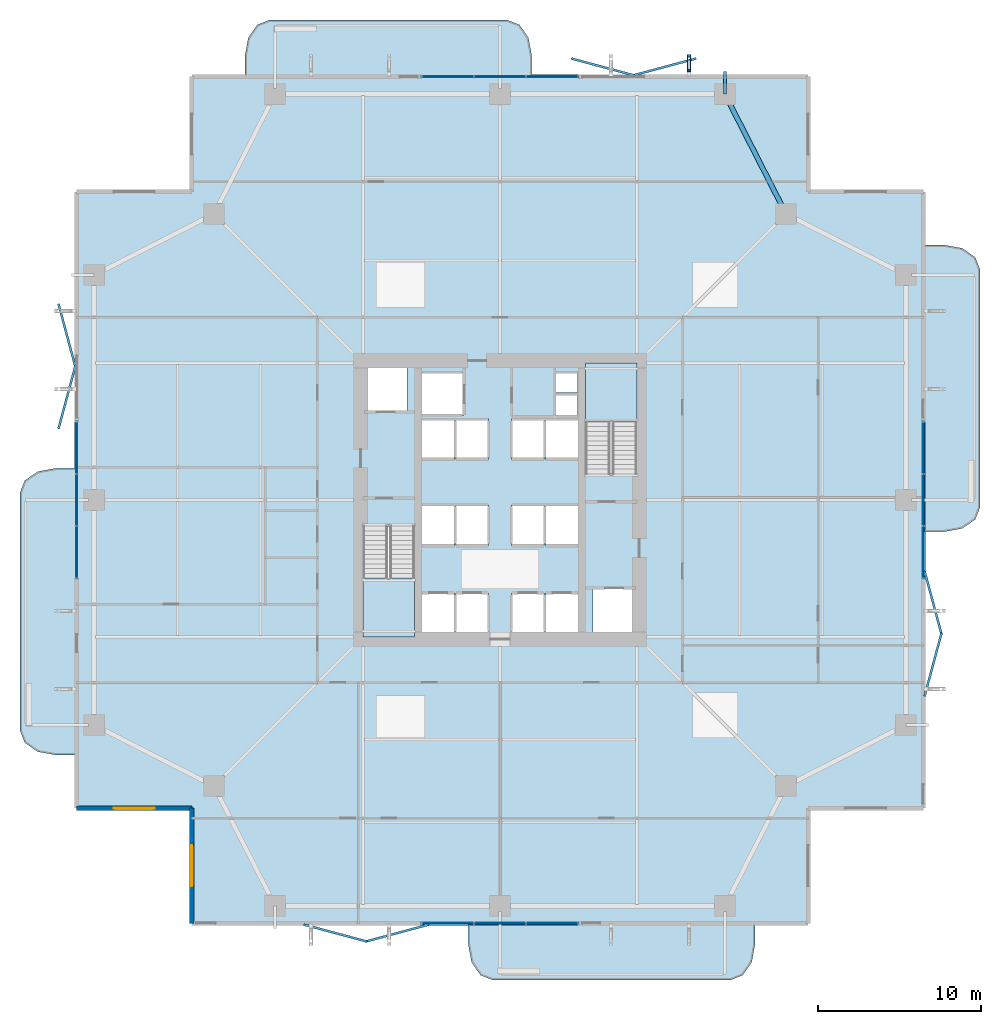
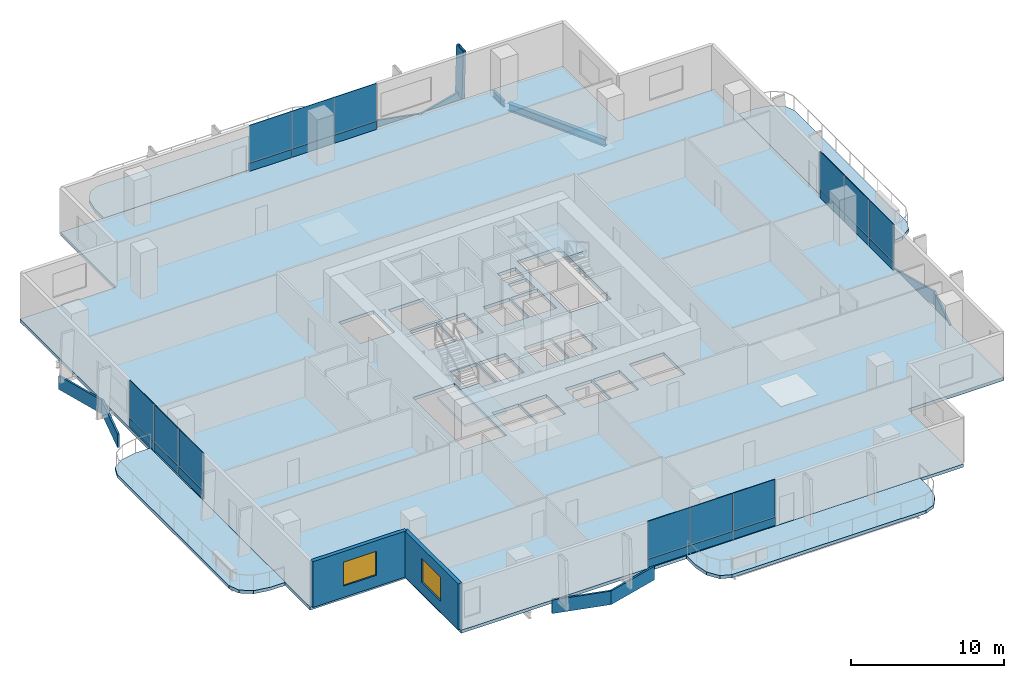
# One storey, part 16 of 24: 32 plates, 7 slabs, 2 beams, 2 walls, 2 windows, 1 member, 2 openings, 6 elements without a shape of their own.
"""IFC4 building model written with IfcOpenShell, lengths in metres."""

from ifc_helpers import new_model, si_unit, direction, frame, frame_2d, origin, origin_2d, place, context, subcontext, project, spatial, polyline, rectangle, hollow_rectangle, i_section, outline, extrude, material, layer, layer_set, material_profile, profile_set, type_object, element, fill, aggregate, save


model = new_model("IFC4")

# Units and contexts
model_context = context("Model", 3, precision=1e-05, world=origin(), true_north=direction((0.0, 1.0)))
body_context = subcontext(model_context, "Body", "Model", "MODEL_VIEW")
ifc_project = project(units=[si_unit("LENGTHUNIT", "METRE"), si_unit("AREAUNIT", "SQUARE_METRE"), si_unit("VOLUMEUNIT", "CUBIC_METRE"), si_unit("PLANEANGLEUNIT", "RADIAN"), si_unit("MASSUNIT", "GRAM", prefix="KILO")], contexts=[model_context])

# Site, building, storey
site_placement = place(None, origin())
site = spatial("IfcSite", under=ifc_project, at=site_placement, CompositionType="ELEMENT")
building_placement = place(site_placement, origin())
building = spatial("IfcBuilding", under=site, at=building_placement, Name="Belovzor Exchange Tower", CompositionType="ELEMENT")
storey_placement = place(building_placement, frame((0.0, 0.0, 121.199951171875)))
storey = spatial("IfcBuildingStorey", under=building, at=storey_placement, Name="L29", CompositionType="ELEMENT", Elevation=121.199951171875)

# Beam
ifc_material_1 = material(Name="Steel S355", Category="steel")
ifc_material_profile_1 = material_profile(ifc_material_1, i_section(OverallWidth=0.199951171875, OverallDepth=0.5, WebThickness=0.01025390625, FlangeThickness=0.01611328125, at=origin_2d()))
ifc_profile_set_1 = profile_set([ifc_material_profile_1], Name="Steel S355")
beam_type_1 = type_object("IfcBeamType", Name="Planted Balcony Cantilever Beam IPE 500", PredefinedType="BEAM", material=ifc_profile_set_1)
beam_1_placement = place(storey_placement, frame((42.60009765625, 53.699951171875, -0.5), z_axis=(0.0, 1.0, 0.0), x_axis=(-1.0, 0.0, 0.0)))
element("IfcBeam", 1, at=beam_1_placement, inside=storey, type_object=beam_type_1, Name="BC-500 Planted Balcony Cantilever Beam IPE 500", PredefinedType="BEAM", context=body_context, shape_type="SweptSolid", body=[
    extrude(i_section(OverallWidth=0.199951171875, OverallDepth=0.5, WebThickness=0.01025390625, FlangeThickness=0.01611328125, at=origin_2d()), origin(), (0.0, 0.0, 1.0), 1.400146484375),
])

# Member
ifc_material_2 = material(Name="Extruded Architectural Terracotta on Steel S355 Carrier", Category="masonry")
ifc_material_profile_2 = material_profile(ifc_material_2, hollow_rectangle(XDim=0.199951171875, YDim=0.89990234375, WallThickness=0.011962890625, at=origin_2d()))
ifc_profile_set_2 = profile_set([ifc_material_profile_2], Name="Extruded Architectural Terracotta on Steel S355 Carrier")
member_type = type_object("IfcMemberType", Name="Sweeping Terracotta Baguette Fin Assembly 1250", PredefinedType="USERDEFINED", material=ifc_profile_set_2)
member_placement = place(storey_placement, frame((40.39990234375, 55.68310546875, -0.25), z_axis=(0.0, -0.039718243113, 0.999210919258), x_axis=(1.0, 0.0, 0.0)))
element("IfcMember", 2, at=member_placement, inside=storey, type_object=member_type, Name="FIN-TC125 Terracotta Facade Fin L29 N4", ObjectType="FIN", PredefinedType="USERDEFINED", context=body_context, shape_type="SweptSolid", body=[
    extrude(hollow_rectangle(XDim=0.199951171875, YDim=0.89990234375, WallThickness=0.011962890625, at=origin_2d()), origin(), (0.0, 0.0, 1.0), 3.9033203125),
])

# Beam
ifc_material_3 = material(Name="Steel S355", Category="steel")
ifc_material_profile_3 = material_profile(ifc_material_3, i_section(OverallWidth=0.300048828125, OverallDepth=0.60009765625, WebThickness=0.015380859375, FlangeThickness=0.030029296875, at=origin_2d()))
ifc_profile_set_3 = profile_set([ifc_material_profile_3], Name="Steel S355")
beam_type_2 = type_object("IfcBeamType", Name="Zone 2 Primary Perimeter Girder HEB 600", PredefinedType="BEAM", material=ifc_profile_set_3)
beam_2_placement = place(storey_placement, frame((46.18798828125, 46.66796875, -0.550048828125), z_axis=(-0.454518593109, 0.890737249989, 0.0), x_axis=(-0.890737249989, -0.454518593109, 0.0)))
element("IfcBeam", 3, at=beam_2_placement, inside=storey, type_object=beam_type_2, Name="FG-Z2 Zone 2 Primary Perimeter Girder HEB 600", PredefinedType="BEAM", context=body_context, shape_type="SweptSolid", body=[
    extrude(i_section(OverallWidth=0.300048828125, OverallDepth=0.60009765625, WebThickness=0.015380859375, FlangeThickness=0.030029296875, at=origin_2d()), origin(), (0.0, 0.0, 1.0), 7.53759765625),
])

# Slab
ifc_material_4 = material(Name="Concrete C40/50", Category="concrete")
ifc_layer_1 = layer(ifc_material_4, 0.25)
ifc_layer_set_1 = layer_set([ifc_layer_1], Name="Concrete C40/50")
slab_type_1 = type_object("IfcSlabType", Name="Composite Concrete Floor Deck Slab 250", PredefinedType="FLOOR", material=ifc_layer_set_1)
slab_1_placement = place(storey_placement, frame((0.0, 0.0, -0.25)))
element("IfcSlab", 4, at=slab_1_placement, inside=storey, type_object=slab_type_1, Name="SL-F250 Structural Slab L29", PredefinedType="FLOOR", context=body_context, shape_type="SweptSolid", body=[
    extrude(outline(polyline([(9.89990234375, 2.699951171875), (47.699951171875, 2.699951171875), (47.699951171875, 9.89990234375), (54.89990234375, 9.89990234375), (54.89990234375, 47.699951171875), (47.699951171875, 47.699951171875), (47.699951171875, 54.89990234375), (9.89990234375, 54.89990234375), (9.89990234375, 47.699951171875), (2.699951171875, 47.699951171875), (2.699951171875, 9.89990234375), (9.89990234375, 9.89990234375), (9.89990234375, 2.699951171875)]), holes=[polyline([(20.39990234375, 27.175048828125), (20.39990234375, 20.39990234375), (23.550048828125, 20.39990234375), (23.550048828125, 27.175048828125), (20.39990234375, 27.175048828125)]), polyline([(37.199951171875, 30.425048828125), (37.199951171875, 37.199951171875), (34.050048828125, 37.199951171875), (34.050048828125, 30.425048828125), (37.199951171875, 30.425048828125)]), polyline([(20.5, 34.199951171875), (23.10009765625, 34.199951171875), (23.10009765625, 37.0), (20.5, 37.0), (20.5, 34.199951171875)]), polyline([(34.5, 20.60009765625), (37.10009765625, 20.60009765625), (37.10009765625, 23.39990234375), (34.5, 23.39990234375), (34.5, 20.60009765625)]), polyline([(24.0, 34.0), (26.60009765625, 34.0), (26.60009765625, 36.60009765625), (24.0, 36.60009765625), (24.0, 34.0)]), polyline([(24.0, 20.60009765625), (26.0, 20.60009765625), (26.0, 23.10009765625), (24.0, 23.10009765625), (24.0, 20.60009765625)]), polyline([(26.10009765625, 20.60009765625), (28.10009765625, 20.60009765625), (28.10009765625, 23.10009765625), (26.10009765625, 23.10009765625), (26.10009765625, 20.60009765625)]), polyline([(29.5, 20.60009765625), (31.5, 20.60009765625), (31.5, 23.10009765625), (29.5, 23.10009765625), (29.5, 20.60009765625)]), polyline([(31.60009765625, 20.60009765625), (33.60009765625, 20.60009765625), (33.60009765625, 23.10009765625), (31.60009765625, 23.10009765625), (31.60009765625, 20.60009765625)]), polyline([(24.0, 26.0), (26.0, 26.0), (26.0, 28.5), (24.0, 28.5), (24.0, 26.0)]), polyline([(26.10009765625, 26.0), (28.10009765625, 26.0), (28.10009765625, 28.5), (26.10009765625, 28.5), (26.10009765625, 26.0)]), polyline([(29.5, 26.0), (31.5, 26.0), (31.5, 28.5), (29.5, 28.5), (29.5, 26.0)]), polyline([(31.60009765625, 26.0), (33.60009765625, 26.0), (33.60009765625, 28.5), (31.60009765625, 28.5), (31.60009765625, 26.0)]), polyline([(24.0, 31.300048828125), (26.0, 31.300048828125), (26.0, 33.800048828125), (24.0, 33.800048828125), (24.0, 31.300048828125)]), polyline([(26.10009765625, 31.300048828125), (28.10009765625, 31.300048828125), (28.10009765625, 33.800048828125), (26.10009765625, 33.800048828125), (26.10009765625, 31.300048828125)]), polyline([(29.5, 31.300048828125), (31.5, 31.300048828125), (31.5, 33.800048828125), (29.5, 33.800048828125), (29.5, 31.300048828125)]), polyline([(31.60009765625, 31.300048828125), (33.60009765625, 31.300048828125), (33.60009765625, 33.800048828125), (31.60009765625, 33.800048828125), (31.60009765625, 31.300048828125)]), polyline([(32.199951171875, 34.0), (33.550048828125, 34.0), (33.550048828125, 35.199951171875), (32.199951171875, 35.199951171875), (32.199951171875, 34.0)]), polyline([(32.199951171875, 35.39990234375), (33.550048828125, 35.39990234375), (33.550048828125, 36.60009765625), (32.199951171875, 36.60009765625), (32.199951171875, 35.39990234375)])]), origin(), (0.0, 0.0, 1.0), 0.25),
])

# Curtain wall, plates
ifc_material_5 = material(Name="Anodised Aluminium Framing", Category="aluminium")
ifc_layer_2 = layer(ifc_material_5, 0.179931640625)
ifc_layer_set_2 = layer_set([ifc_layer_2], Name="Anodised Aluminium Framing")
curtain_wall_type = type_object("IfcCurtainWallType", Name="Recessed Loggia Low-Iron Triple-Glazed Curtain Wall", PredefinedType="NOTDEFINED", material=ifc_layer_set_2)
curtain_wall_1_placement = place(storey_placement, origin())
curtain_wall_1 = element("IfcCurtainWall", 5, at=curtain_wall_1_placement, inside=storey, type_object=curtain_wall_type, Name="CW3 Recessed Loggia Low-Iron Triple-Glazed Curtain Wall L29", PredefinedType="NOTDEFINED")
ifc_material_6 = material(Name="Solar-Control Triple Glazing", Category="glass")
ifc_layer_3 = layer(ifc_material_6, 0.0439453125)
ifc_layer_set_3 = layer_set([ifc_layer_3], Name="Solar-Control Triple Glazing")
plate_type_1 = type_object("IfcPlateType", Name="Insulated Solar Glazing Curtain Panel 44", PredefinedType="CURTAIN_PANEL", material=ifc_layer_set_3)
plate_1_placement = place(storey_placement, frame((32.0, 2.830078125, 0.652099609375), z_axis=(0.0, 0.0, 1.0), x_axis=(-1.0, 0.0, 0.0)))
plate_1 = element("IfcPlate", 6, at=plate_1_placement, type_object=plate_type_1, Name="GLZ-44 Glazed Curtain Panel 1", PredefinedType="CURTAIN_PANEL", context=body_context, shape_type="SweptSolid", body=[
    extrude(rectangle(XDim=3.18408203125, YDim=0.0439453125, at=origin_2d()), origin(), (0.0, 0.0, 1.0), 2.998046875),
])
plate_2_placement = place(storey_placement, frame((28.800048828125, 2.830078125, 0.652099609375), z_axis=(0.0, 0.0, 1.0), x_axis=(-1.0, 0.0, 0.0)))
plate_2 = element("IfcPlate", 7, at=plate_2_placement, type_object=plate_type_1, Name="GLZ-44 Glazed Curtain Panel 2", PredefinedType="CURTAIN_PANEL", context=body_context, shape_type="SweptSolid", body=[
    extrude(rectangle(XDim=3.18408203125, YDim=0.0439453125, at=origin_2d()), origin(), (0.0, 0.0, 1.0), 2.998046875),
])
plate_3_placement = place(storey_placement, frame((25.60009765625, 2.830078125, 0.652099609375), z_axis=(0.0, 0.0, 1.0), x_axis=(-1.0, 0.0, 0.0)))
plate_3 = element("IfcPlate", 8, at=plate_3_placement, type_object=plate_type_1, Name="GLZ-44 Glazed Curtain Panel 3", PredefinedType="CURTAIN_PANEL", context=body_context, shape_type="SweptSolid", body=[
    extrude(rectangle(XDim=3.18408203125, YDim=0.0439453125, at=origin_2d()), origin(), (0.0, 0.0, 1.0), 2.998046875),
])

curtain_wall_2_placement = place(storey_placement, origin())
curtain_wall_2 = element("IfcCurtainWall", 9, at=curtain_wall_2_placement, inside=storey, type_object=curtain_wall_type, Name="CW3 Recessed Loggia Low-Iron Triple-Glazed Curtain Wall L29", PredefinedType="NOTDEFINED")
plate_4_placement = place(storey_placement, frame((25.60009765625, 54.77001953125, 0.652099609375), z_axis=(0.0, 0.0, 1.0), x_axis=(1.0, 0.0, 0.0)))
plate_4 = element("IfcPlate", 10, at=plate_4_placement, type_object=plate_type_1, Name="GLZ-44 Glazed Curtain Panel 1", PredefinedType="CURTAIN_PANEL", context=body_context, shape_type="SweptSolid", body=[
    extrude(rectangle(XDim=3.18408203125, YDim=0.0439453125, at=origin_2d()), origin(), (0.0, 0.0, 1.0), 2.998046875),
])
plate_5_placement = place(storey_placement, frame((28.800048828125, 54.77001953125, 0.652099609375), z_axis=(0.0, 0.0, 1.0), x_axis=(1.0, 0.0, 0.0)))
plate_5 = element("IfcPlate", 11, at=plate_5_placement, type_object=plate_type_1, Name="GLZ-44 Glazed Curtain Panel 2", PredefinedType="CURTAIN_PANEL", context=body_context, shape_type="SweptSolid", body=[
    extrude(rectangle(XDim=3.18408203125, YDim=0.0439453125, at=origin_2d()), origin(), (0.0, 0.0, 1.0), 2.998046875),
])
plate_6_placement = place(storey_placement, frame((32.0, 54.77001953125, 0.652099609375), z_axis=(0.0, 0.0, 1.0), x_axis=(1.0, 0.0, 0.0)))
plate_6 = element("IfcPlate", 12, at=plate_6_placement, type_object=plate_type_1, Name="GLZ-44 Glazed Curtain Panel 3", PredefinedType="CURTAIN_PANEL", context=body_context, shape_type="SweptSolid", body=[
    extrude(rectangle(XDim=3.18408203125, YDim=0.0439453125, at=origin_2d()), origin(), (0.0, 0.0, 1.0), 2.998046875),
])

curtain_wall_3_placement = place(storey_placement, origin())
curtain_wall_3 = element("IfcCurtainWall", 13, at=curtain_wall_3_placement, inside=storey, type_object=curtain_wall_type, Name="CW3 Recessed Loggia Low-Iron Triple-Glazed Curtain Wall L29", PredefinedType="NOTDEFINED")
plate_7_placement = place(storey_placement, frame((2.830078125, 25.60009765625, 0.652099609375), z_axis=(0.0, 0.0, 1.0), x_axis=(0.0, 1.0, 0.0)))
plate_7 = element("IfcPlate", 14, at=plate_7_placement, type_object=plate_type_1, Name="GLZ-44 Glazed Curtain Panel 1", PredefinedType="CURTAIN_PANEL", context=body_context, shape_type="SweptSolid", body=[
    extrude(rectangle(XDim=3.18408203125, YDim=0.0439453125, at=origin_2d()), origin(), (0.0, 0.0, 1.0), 2.998046875),
])
plate_8_placement = place(storey_placement, frame((2.830078125, 28.800048828125, 0.652099609375), z_axis=(0.0, 0.0, 1.0), x_axis=(0.0, 1.0, 0.0)))
plate_8 = element("IfcPlate", 15, at=plate_8_placement, type_object=plate_type_1, Name="GLZ-44 Glazed Curtain Panel 2", PredefinedType="CURTAIN_PANEL", context=body_context, shape_type="SweptSolid", body=[
    extrude(rectangle(XDim=3.18408203125, YDim=0.0439453125, at=origin_2d()), origin(), (0.0, 0.0, 1.0), 2.998046875),
])
plate_9_placement = place(storey_placement, frame((2.830078125, 32.0, 0.652099609375), z_axis=(0.0, 0.0, 1.0), x_axis=(0.0, 1.0, 0.0)))
plate_9 = element("IfcPlate", 16, at=plate_9_placement, type_object=plate_type_1, Name="GLZ-44 Glazed Curtain Panel 3", PredefinedType="CURTAIN_PANEL", context=body_context, shape_type="SweptSolid", body=[
    extrude(rectangle(XDim=3.18408203125, YDim=0.0439453125, at=origin_2d()), origin(), (0.0, 0.0, 1.0), 2.998046875),
])

curtain_wall_4_placement = place(storey_placement, origin())
curtain_wall_4 = element("IfcCurtainWall", 17, at=curtain_wall_4_placement, inside=storey, type_object=curtain_wall_type, Name="CW3 Recessed Loggia Low-Iron Triple-Glazed Curtain Wall L29", PredefinedType="NOTDEFINED")
plate_10_placement = place(storey_placement, frame((54.77001953125, 32.0, 0.652099609375), z_axis=(0.0, 0.0, 1.0), x_axis=(0.0, -1.0, 0.0)))
plate_10 = element("IfcPlate", 18, at=plate_10_placement, type_object=plate_type_1, Name="GLZ-44 Glazed Curtain Panel 1", PredefinedType="CURTAIN_PANEL", context=body_context, shape_type="SweptSolid", body=[
    extrude(rectangle(XDim=3.18408203125, YDim=0.0439453125, at=origin_2d()), origin(), (0.0, 0.0, 1.0), 2.998046875),
])
plate_11_placement = place(storey_placement, frame((54.77001953125, 28.800048828125, 0.652099609375), z_axis=(0.0, 0.0, 1.0), x_axis=(0.0, -1.0, 0.0)))
plate_11 = element("IfcPlate", 19, at=plate_11_placement, type_object=plate_type_1, Name="GLZ-44 Glazed Curtain Panel 2", PredefinedType="CURTAIN_PANEL", context=body_context, shape_type="SweptSolid", body=[
    extrude(rectangle(XDim=3.18408203125, YDim=0.0439453125, at=origin_2d()), origin(), (0.0, 0.0, 1.0), 2.998046875),
])
plate_12_placement = place(storey_placement, frame((54.77001953125, 25.60009765625, 0.652099609375), z_axis=(0.0, 0.0, 1.0), x_axis=(0.0, -1.0, 0.0)))
plate_12 = element("IfcPlate", 20, at=plate_12_placement, type_object=plate_type_1, Name="GLZ-44 Glazed Curtain Panel 3", PredefinedType="CURTAIN_PANEL", context=body_context, shape_type="SweptSolid", body=[
    extrude(rectangle(XDim=3.18408203125, YDim=0.0439453125, at=origin_2d()), origin(), (0.0, 0.0, 1.0), 2.998046875),
])

# Plates
ifc_material_7 = material(Name="Extruded Architectural Terracotta", Category="masonry")
ifc_layer_4 = layer(ifc_material_7, 0.139892578125)
ifc_layer_set_4 = layer_set([ifc_layer_4], Name="Extruded Architectural Terracotta")
plate_type_2 = type_object("IfcPlateType", Name="Mid-Tower Folded Zigzag Terracotta Spandrel Louvre 120", PredefinedType="USERDEFINED", material=ifc_layer_set_4)
for number, where, z_axis, x_axis, name in (
    (21, (18.699951171875, 2.22998046875, -1.06494140625), (0.0, 0.0, 1.0), (0.965812803231, -0.259240485101, 0.0), "LVR-ZZ2 Zigzag Terracotta Spandrel Louvre L29 S1A"),
    (22, (22.5, 2.22998046875, -1.06494140625), (0.0, 0.0, 1.0), (0.965812803231, 0.259240485101, 0.0), "LVR-ZZ2 Zigzag Terracotta Spandrel Louvre L29 S1B"),
    (23, (55.3701171875, 18.699951171875, -1.06494140625), (0.0, 0.0, 1.0), (0.259240485101, 0.965812803231, 0.0), "LVR-ZZ2 Zigzag Terracotta Spandrel Louvre L29 E1A"),
    (24, (55.3701171875, 22.5, -1.06494140625), (0.0, 0.0, 1.0), (-0.259240485101, 0.965812803231, 0.0), "LVR-ZZ2 Zigzag Terracotta Spandrel Louvre L29 E1B"),
    (25, (35.10009765625, 55.3701171875, -1.06494140625), (0.0, 0.0, 1.0), (0.965812803231, -0.259240485101, 0.0), "LVR-ZZ2 Zigzag Terracotta Spandrel Louvre L29 N2A"),
    (26, (38.89990234375, 55.3701171875, -1.06494140625), (0.0, 0.0, 1.0), (0.965812803231, 0.259240485101, 0.0), "LVR-ZZ2 Zigzag Terracotta Spandrel Louvre L29 N2B"),
    (27, (2.22998046875, 35.10009765625, -1.06494140625), (0.0, 0.0, 1.0), (0.259240485101, 0.965812803231, 0.0), "LVR-ZZ2 Zigzag Terracotta Spandrel Louvre L29 W2A"),
    (28, (2.22998046875, 38.89990234375, -1.06494140625), (0.0, 0.0, 1.0), (-0.259240485101, 0.965812803231, 0.0), "LVR-ZZ2 Zigzag Terracotta Spandrel Louvre L29 W2B"),
):
    element("IfcPlate", number, at=place(storey_placement, frame(where, z_axis=z_axis, x_axis=x_axis)), inside=storey, type_object=plate_type_2, Name=name, ObjectType="SPANDREL_LOUVRE", PredefinedType="USERDEFINED", context=body_context, shape_type="SweptSolid", body=[
        extrude(rectangle(XDim=4.014892578125, YDim=0.139892578125, at=origin_2d()), origin(), (0.0, 0.0, 1.0), 1.080078125),
    ])

# Stair, slab
ifc_material_8 = material(Name="Concrete C40/50", Category="concrete")
stair_type = type_object("IfcStairType", Name="Reinforced Concrete Dogleg Escape Stair 1350", PredefinedType="HALF_TURN_STAIR", material=ifc_material_8)
stair_1_placement = place(storey_placement, origin())
stair_1 = element("IfcStair", 29, at=stair_1_placement, inside=storey, type_object=stair_type, Name="L29 ST-1", PredefinedType="HALF_TURN_STAIR")
ifc_material_9 = material(Name="Concrete C40/50", Category="concrete")
ifc_layer_5 = layer(ifc_material_9, 0.199951171875)
ifc_layer_set_5 = layer_set([ifc_layer_5], Name="Concrete C40/50")
slab_type_2 = type_object("IfcSlabType", Name="Reinforced Concrete Stair Half-Landing Slab 200", PredefinedType="LANDING", material=ifc_layer_set_5)
slab_2_placement = place(storey_placement, frame((0.0, 0.0, 1.75)))
slab_2 = element("IfcSlab", 30, at=slab_2_placement, type_object=slab_type_2, Name="ST-1 landing 1", PredefinedType="LANDING", context=body_context, shape_type="SweptSolid", body=[
    extrude(outline(polyline([(20.39990234375, 24.010009765625), (20.39990234375, 20.39990234375), (23.550048828125, 20.39990234375), (23.550048828125, 24.010009765625), (20.39990234375, 24.010009765625)])), origin(), (0.0, 0.0, 1.0), 0.199951171875),
])
aggregate(stair_1, [slab_2])

stair_2_placement = place(storey_placement, origin())
stair_2 = element("IfcStair", 31, at=stair_2_placement, inside=storey, type_object=stair_type, Name="L29 ST-2", PredefinedType="HALF_TURN_STAIR")
slab_3_placement = place(storey_placement, frame((0.0, 0.0, 1.75)))
slab_3 = element("IfcSlab", 32, at=slab_3_placement, type_object=slab_type_2, Name="ST-2 landing 1", PredefinedType="LANDING", context=body_context, shape_type="SweptSolid", body=[
    extrude(outline(polyline([(37.199951171875, 33.590087890625), (37.199951171875, 37.199951171875), (34.050048828125, 37.199951171875), (34.050048828125, 33.590087890625), (37.199951171875, 33.590087890625)])), origin(), (0.0, 0.0, 1.0), 0.199951171875),
])
aggregate(stair_2, [slab_3])

# Plate
ifc_material_10 = material(Name="Extruded Architectural Terracotta", Category="masonry")
ifc_layer_6 = layer(ifc_material_10, 0.090087890625)
ifc_layer_set_6 = layer_set([ifc_layer_6], Name="Extruded Architectural Terracotta")
plate_type_3 = type_object("IfcPlateType", Name="Terracotta Shadow-Box Spandrel Panel 90", PredefinedType="CURTAIN_PANEL", material=ifc_layer_set_6)
plate_13_placement = place(storey_placement, frame((32.0, 2.830078125, 0.0), z_axis=(0.0, 0.0, 1.0), x_axis=(-1.0, 0.0, 0.0)))
plate_13 = element("IfcPlate", 33, at=plate_13_placement, type_object=plate_type_3, Name="SPD-90 Spandrel Panel 1", PredefinedType="CURTAIN_PANEL", context=body_context, shape_type="SweptSolid", body=[
    extrude(rectangle(XDim=3.18408203125, YDim=0.090087890625, at=origin_2d()), origin(), (0.0, 0.0, 1.0), 0.64794921875),
])

plate_14_placement = place(storey_placement, frame((28.800048828125, 2.830078125, 0.0), z_axis=(0.0, 0.0, 1.0), x_axis=(-1.0, 0.0, 0.0)))
plate_14 = element("IfcPlate", 34, at=plate_14_placement, type_object=plate_type_3, Name="SPD-90 Spandrel Panel 2", PredefinedType="CURTAIN_PANEL", context=body_context, shape_type="SweptSolid", body=[
    extrude(rectangle(XDim=3.18408203125, YDim=0.090087890625, at=origin_2d()), origin(), (0.0, 0.0, 1.0), 0.64794921875),
])

plate_15_placement = place(storey_placement, frame((25.60009765625, 2.830078125, 0.0), z_axis=(0.0, 0.0, 1.0), x_axis=(-1.0, 0.0, 0.0)))
plate_15 = element("IfcPlate", 35, at=plate_15_placement, type_object=plate_type_3, Name="SPD-90 Spandrel Panel 3", PredefinedType="CURTAIN_PANEL", context=body_context, shape_type="SweptSolid", body=[
    extrude(rectangle(XDim=3.18408203125, YDim=0.090087890625, at=origin_2d()), origin(), (0.0, 0.0, 1.0), 0.64794921875),
])

aggregate(curtain_wall_1, [plate_13, plate_1, plate_14, plate_2, plate_15, plate_3])

plate_16_placement = place(storey_placement, frame((25.60009765625, 54.77001953125, 0.0), z_axis=(0.0, 0.0, 1.0), x_axis=(1.0, 0.0, 0.0)))
plate_16 = element("IfcPlate", 36, at=plate_16_placement, type_object=plate_type_3, Name="SPD-90 Spandrel Panel 1", PredefinedType="CURTAIN_PANEL", context=body_context, shape_type="SweptSolid", body=[
    extrude(rectangle(XDim=3.18408203125, YDim=0.090087890625, at=origin_2d()), origin(), (0.0, 0.0, 1.0), 0.64794921875),
])

plate_17_placement = place(storey_placement, frame((28.800048828125, 54.77001953125, 0.0), z_axis=(0.0, 0.0, 1.0), x_axis=(1.0, 0.0, 0.0)))
plate_17 = element("IfcPlate", 37, at=plate_17_placement, type_object=plate_type_3, Name="SPD-90 Spandrel Panel 2", PredefinedType="CURTAIN_PANEL", context=body_context, shape_type="SweptSolid", body=[
    extrude(rectangle(XDim=3.18408203125, YDim=0.090087890625, at=origin_2d()), origin(), (0.0, 0.0, 1.0), 0.64794921875),
])

plate_18_placement = place(storey_placement, frame((32.0, 54.77001953125, 0.0), z_axis=(0.0, 0.0, 1.0), x_axis=(1.0, 0.0, 0.0)))
plate_18 = element("IfcPlate", 38, at=plate_18_placement, type_object=plate_type_3, Name="SPD-90 Spandrel Panel 3", PredefinedType="CURTAIN_PANEL", context=body_context, shape_type="SweptSolid", body=[
    extrude(rectangle(XDim=3.18408203125, YDim=0.090087890625, at=origin_2d()), origin(), (0.0, 0.0, 1.0), 0.64794921875),
])

aggregate(curtain_wall_2, [plate_16, plate_4, plate_17, plate_5, plate_18, plate_6])

plate_19_placement = place(storey_placement, frame((2.830078125, 25.60009765625, 0.0), z_axis=(0.0, 0.0, 1.0), x_axis=(0.0, 1.0, 0.0)))
plate_19 = element("IfcPlate", 39, at=plate_19_placement, type_object=plate_type_3, Name="SPD-90 Spandrel Panel 1", PredefinedType="CURTAIN_PANEL", context=body_context, shape_type="SweptSolid", body=[
    extrude(rectangle(XDim=3.18408203125, YDim=0.090087890625, at=origin_2d()), origin(), (0.0, 0.0, 1.0), 0.64794921875),
])

plate_20_placement = place(storey_placement, frame((2.830078125, 28.800048828125, 0.0), z_axis=(0.0, 0.0, 1.0), x_axis=(0.0, 1.0, 0.0)))
plate_20 = element("IfcPlate", 40, at=plate_20_placement, type_object=plate_type_3, Name="SPD-90 Spandrel Panel 2", PredefinedType="CURTAIN_PANEL", context=body_context, shape_type="SweptSolid", body=[
    extrude(rectangle(XDim=3.18408203125, YDim=0.090087890625, at=origin_2d()), origin(), (0.0, 0.0, 1.0), 0.64794921875),
])

plate_21_placement = place(storey_placement, frame((2.830078125, 32.0, 0.0), z_axis=(0.0, 0.0, 1.0), x_axis=(0.0, 1.0, 0.0)))
plate_21 = element("IfcPlate", 41, at=plate_21_placement, type_object=plate_type_3, Name="SPD-90 Spandrel Panel 3", PredefinedType="CURTAIN_PANEL", context=body_context, shape_type="SweptSolid", body=[
    extrude(rectangle(XDim=3.18408203125, YDim=0.090087890625, at=origin_2d()), origin(), (0.0, 0.0, 1.0), 0.64794921875),
])

aggregate(curtain_wall_3, [plate_19, plate_7, plate_20, plate_8, plate_21, plate_9])

plate_22_placement = place(storey_placement, frame((54.77001953125, 32.0, 0.0), z_axis=(0.0, 0.0, 1.0), x_axis=(0.0, -1.0, 0.0)))
plate_22 = element("IfcPlate", 42, at=plate_22_placement, type_object=plate_type_3, Name="SPD-90 Spandrel Panel 1", PredefinedType="CURTAIN_PANEL", context=body_context, shape_type="SweptSolid", body=[
    extrude(rectangle(XDim=3.18408203125, YDim=0.090087890625, at=origin_2d()), origin(), (0.0, 0.0, 1.0), 0.64794921875),
])

plate_23_placement = place(storey_placement, frame((54.77001953125, 28.800048828125, 0.0), z_axis=(0.0, 0.0, 1.0), x_axis=(0.0, -1.0, 0.0)))
plate_23 = element("IfcPlate", 43, at=plate_23_placement, type_object=plate_type_3, Name="SPD-90 Spandrel Panel 2", PredefinedType="CURTAIN_PANEL", context=body_context, shape_type="SweptSolid", body=[
    extrude(rectangle(XDim=3.18408203125, YDim=0.090087890625, at=origin_2d()), origin(), (0.0, 0.0, 1.0), 0.64794921875),
])

plate_24_placement = place(storey_placement, frame((54.77001953125, 25.60009765625, 0.0), z_axis=(0.0, 0.0, 1.0), x_axis=(0.0, -1.0, 0.0)))
plate_24 = element("IfcPlate", 44, at=plate_24_placement, type_object=plate_type_3, Name="SPD-90 Spandrel Panel 3", PredefinedType="CURTAIN_PANEL", context=body_context, shape_type="SweptSolid", body=[
    extrude(rectangle(XDim=3.18408203125, YDim=0.090087890625, at=origin_2d()), origin(), (0.0, 0.0, 1.0), 0.64794921875),
])

aggregate(curtain_wall_4, [plate_22, plate_10, plate_23, plate_11, plate_24, plate_12])

# Slabs
ifc_material_11 = material(Name="Concrete C40/50", Category="concrete")
ifc_layer_7 = layer(ifc_material_11, 0.25)
ifc_layer_set_7 = layer_set([ifc_layer_7], Name="Concrete C40/50")
slab_type_3 = type_object("IfcSlabType", Name="Thermally Broken Planted Balcony Slab 250", PredefinedType="FLOOR", material=ifc_layer_set_7)
slab_4_placement = place(storey_placement, frame((0.0, 0.0, -0.25)))
element("IfcSlab", 45, at=slab_4_placement, inside=storey, type_object=slab_type_3, Name="SL-BAL220 Planted Balcony Loggia L29 South", PredefinedType="FLOOR", context=body_context, shape_type="SweptSolid", body=[
    extrude(outline(polyline([(26.85009765625, 2.715087890625), (26.85009765625, 1.550048828125), (27.051025390625, 0.449951171875), (27.60009765625, -0.35498046875), (28.35009765625, -0.64990234375), (42.949951171875, -0.64990234375), (43.699951171875, -0.35498046875), (44.2490234375, 0.449951171875), (44.449951171875, 1.550048828125), (44.449951171875, 2.715087890625), (26.85009765625, 2.715087890625)])), origin(), (0.0, 0.0, 1.0), 0.25),
])
slab_5_placement = place(storey_placement, frame((0.0, 0.0, -0.25)))
element("IfcSlab", 46, at=slab_5_placement, inside=storey, type_object=slab_type_3, Name="SL-BAL220 Planted Balcony Loggia L29 North", PredefinedType="FLOOR", context=body_context, shape_type="SweptSolid", body=[
    extrude(outline(polyline([(30.75, 54.885009765625), (30.75, 56.050048828125), (30.549072265625, 57.14990234375), (30.0, 57.955078125), (29.25, 58.25), (14.64990234375, 58.25), (13.89990234375, 57.955078125), (13.35107421875, 57.14990234375), (13.14990234375, 56.050048828125), (13.14990234375, 54.885009765625), (30.75, 54.885009765625)])), origin(), (0.0, 0.0, 1.0), 0.25),
])
slab_6_placement = place(storey_placement, frame((0.0, 0.0, -0.25)))
element("IfcSlab", 47, at=slab_6_placement, inside=storey, type_object=slab_type_3, Name="SL-BAL220 Planted Balcony Loggia L29 East", PredefinedType="FLOOR", context=body_context, shape_type="SweptSolid", body=[
    extrude(outline(polyline([(54.885009765625, 26.85009765625), (56.050048828125, 26.85009765625), (57.14990234375, 27.051025390625), (57.955078125, 27.60009765625), (58.25, 28.35009765625), (58.25, 42.949951171875), (57.955078125, 43.699951171875), (57.14990234375, 44.2490234375), (56.050048828125, 44.449951171875), (54.885009765625, 44.449951171875), (54.885009765625, 26.85009765625)])), origin(), (0.0, 0.0, 1.0), 0.25),
])
slab_7_placement = place(storey_placement, frame((0.0, 0.0, -0.25)))
element("IfcSlab", 48, at=slab_7_placement, inside=storey, type_object=slab_type_3, Name="SL-BAL220 Planted Balcony Loggia L29 West", PredefinedType="FLOOR", context=body_context, shape_type="SweptSolid", body=[
    extrude(outline(polyline([(2.715087890625, 30.75), (1.550048828125, 30.75), (0.449951171875, 30.549072265625), (-0.35498046875, 30.0), (-0.64990234375, 29.25), (-0.64990234375, 14.64990234375), (-0.35498046875, 13.89990234375), (0.449951171875, 13.35107421875), (1.550048828125, 13.14990234375), (2.715087890625, 13.14990234375), (2.715087890625, 30.75)])), origin(), (0.0, 0.0, 1.0), 0.25),
])

# Wall, opening, window
ifc_material_12 = material(Name="Precast concrete C40/50", Category="concrete")
ifc_layer_8 = layer(ifc_material_12, 0.280029296875)
ifc_layer_set_8 = layer_set([ifc_layer_8], Name="Precast concrete C40/50")
wall_type = type_object("IfcWallType", Name="Precast Concrete Notched Corner Frame Wall 280", PredefinedType="SOLIDWALL", material=ifc_layer_set_8)
wall_1_placement = place(storey_placement, frame((9.89990234375, 2.830078125, 0.0), z_axis=(0.0, 0.0, 1.0), x_axis=(0.0, 1.0, 0.0)))
wall_1 = element("IfcWall", 49, at=wall_1_placement, inside=storey, type_object=wall_type, Name="W-CRN280 Precast Concrete Notched Corner Frame Wall 280 L29", PredefinedType="SOLIDWALL", context=body_context, shape_type="SweptSolid", body=[
    extrude(rectangle(XDim=7.06982421875, YDim=0.280029296875, at=frame_2d((3.534912109375, 0.0))), origin(), (0.0, 0.0, 1.0), 3.650146484375),
])
opening_1_placement = place(wall_1_placement, frame((2.284912109375, 0.0, 0.89990234375)))
opening_1 = element("IfcOpeningElement", 50, at=opening_1_placement, cuts=wall_1, Name="Opening WN-CRN250", PredefinedType="OPENING", context=body_context, shape_type="SweptSolid", body=[
    extrude(rectangle(XDim=2.5, YDim=1.89990234375, at=frame_2d((1.25, 0.949951171875))), frame((0.0, 0.14990234375, 0.0), z_axis=(0.0, -1.0, 0.0), x_axis=(1.0, 0.0, 0.0)), (0.0, 0.0, 1.0), 0.300048828125),
])
ifc_material_13 = material(Name="Thermally Broken Aluminium and Triple Glazing", Category="aluminium")
window_type = type_object("IfcWindowType", Name="Streamline Moderne Corner Wrap Ribbon Window 2500x1900", PartitioningType="SINGLE_PANEL", PredefinedType="WINDOW", material=ifc_material_13)
window_1_placement = place(opening_1_placement, origin())
window_1 = element("IfcWindow", 51, at=window_1_placement, inside=storey, type_object=window_type, Name="WN-CRN250 Streamline Moderne Corner Wrap Ribbon Window 2500x1900", OverallHeight=1.89990234375, OverallWidth=2.5, PartitioningType="SINGLE_PANEL", PredefinedType="WINDOW", context=body_context, shape_type="SweptSolid", body=[
    extrude(rectangle(XDim=2.5, YDim=1.89990234375, at=frame_2d((1.25, 0.949951171875))), frame((0.0, 0.030029296875, 0.0), z_axis=(0.0, -1.0, 0.0), x_axis=(1.0, 0.0, 0.0)), (0.0, 0.0, 1.0), 0.06005859375),
])
fill(opening_1, window_1)

wall_2_placement = place(storey_placement, frame((9.89990234375, 9.89990234375, 0.0), z_axis=(0.0, 0.0, 1.0), x_axis=(-1.0, 0.0, 0.0)))
wall_2 = element("IfcWall", 52, at=wall_2_placement, inside=storey, type_object=wall_type, Name="W-CRN280 Precast Concrete Notched Corner Frame Wall 280 L29", PredefinedType="SOLIDWALL", context=body_context, shape_type="SweptSolid", body=[
    extrude(rectangle(XDim=7.06982421875, YDim=0.280029296875, at=frame_2d((3.534912109375, 0.0))), origin(), (0.0, 0.0, 1.0), 3.650146484375),
])
opening_2_placement = place(wall_2_placement, frame((2.284912109375, 0.0, 0.89990234375)))
opening_2 = element("IfcOpeningElement", 53, at=opening_2_placement, cuts=wall_2, Name="Opening WN-CRN250", PredefinedType="OPENING", context=body_context, shape_type="SweptSolid", body=[
    extrude(rectangle(XDim=2.5, YDim=1.89990234375, at=frame_2d((1.25, 0.949951171875))), frame((0.0, 0.14990234375, 0.0), z_axis=(0.0, -1.0, 0.0), x_axis=(1.0, 0.0, 0.0)), (0.0, 0.0, 1.0), 0.300048828125),
])
window_2_placement = place(opening_2_placement, origin())
window_2 = element("IfcWindow", 54, at=window_2_placement, inside=storey, type_object=window_type, Name="WN-CRN250 Streamline Moderne Corner Wrap Ribbon Window 2500x1900", OverallHeight=1.89990234375, OverallWidth=2.5, PartitioningType="SINGLE_PANEL", PredefinedType="WINDOW", context=body_context, shape_type="SweptSolid", body=[
    extrude(rectangle(XDim=2.5, YDim=1.89990234375, at=frame_2d((1.25, 0.949951171875))), frame((0.0, 0.030029296875, 0.0), z_axis=(0.0, -1.0, 0.0), x_axis=(1.0, 0.0, 0.0)), (0.0, 0.0, 1.0), 0.06005859375),
])
fill(opening_2, window_2)

save(model, "model.ifc")
